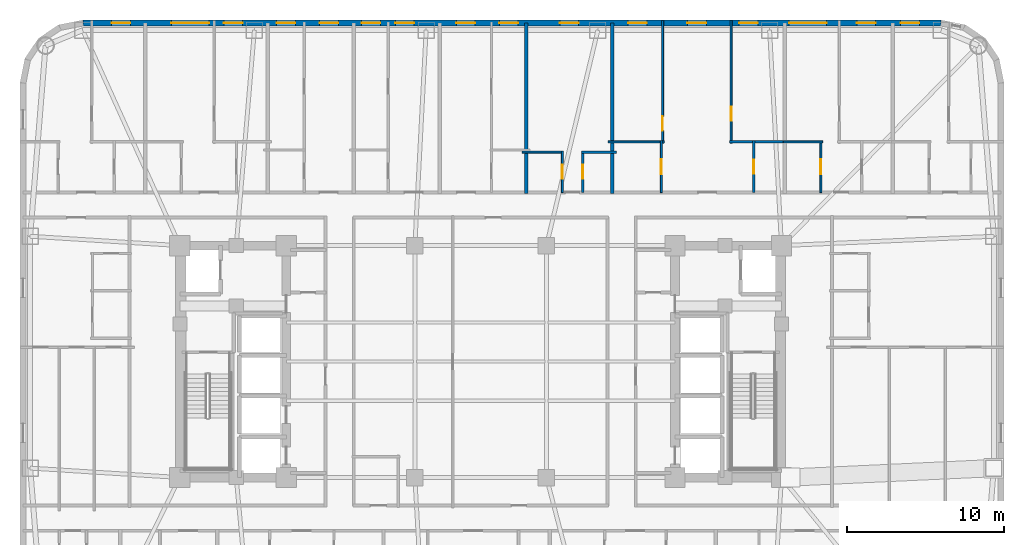
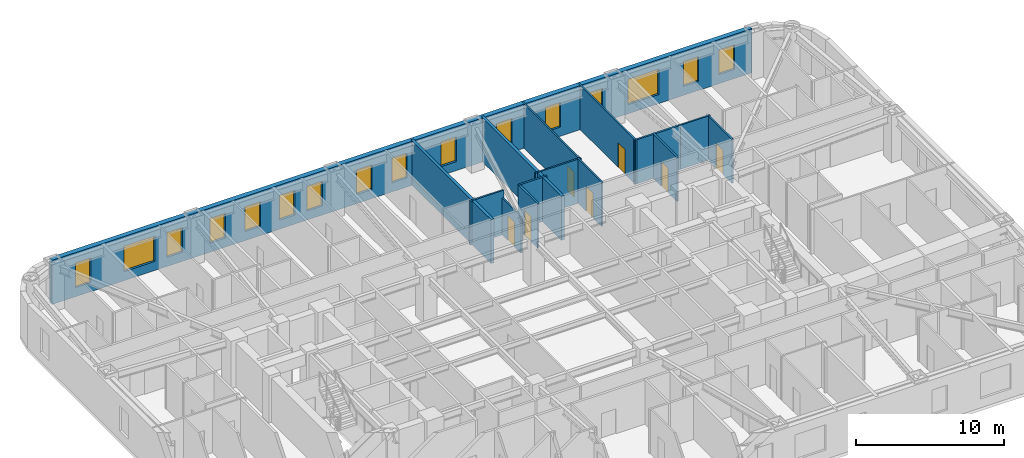
# One storey, part 9 of 12: 16 windows, 15 walls, 7 doors, 23 openings.
"""IFC4 building model written with IfcOpenShell, lengths in metres."""

from ifc_helpers import new_model, si_unit, direction, frame, frame_2d, origin, place, context, subcontext, project, spatial, rectangle, extrude, material, layer, layer_set, type_object, element, fill, save


model = new_model("IFC4")

# Units and contexts
model_context = context("Model", 3, precision=1e-05, world=origin(), true_north=direction((0.0, 1.0)))
body_context = subcontext(model_context, "Body", "Model", "MODEL_VIEW")
ifc_project = project(units=[si_unit("LENGTHUNIT", "METRE"), si_unit("AREAUNIT", "SQUARE_METRE"), si_unit("VOLUMEUNIT", "CUBIC_METRE"), si_unit("PLANEANGLEUNIT", "RADIAN"), si_unit("MASSUNIT", "GRAM", prefix="KILO")], contexts=[model_context])

# Site, building, storey
site_placement = place(None, origin())
site = spatial("IfcSite", under=ifc_project, at=site_placement, CompositionType="ELEMENT")
building_placement = place(site_placement, origin())
building = spatial("IfcBuilding", under=site, at=building_placement, Name="Voryun Gate Residences", CompositionType="ELEMENT")
storey_placement = place(building_placement, frame((0.0, 0.0, 132.60009765625)))
storey = spatial("IfcBuildingStorey", under=building, at=storey_placement, Name="L32", CompositionType="ELEMENT", Elevation=132.60009765625)

# Wall, openings, windows
ifc_material_1 = material(Name="Granite masonry", Category="masonry")
ifc_layer_1 = layer(ifc_material_1, 0.3798828125, Name="W_EXT_GRANITE_380")
ifc_layer_set_1 = layer_set([ifc_layer_1], Name="Granite masonry")
wall_type_1 = type_object("IfcWallType", Name="W_EXT_GRANITE_380", PredefinedType="ELEMENTEDWALL", material=ifc_layer_set_1)
wall_1_placement = place(storey_placement, frame((-25.38134765625, 21.610107421875, 0.0), z_axis=(0.0, 0.0, 1.0), x_axis=(1.0, 0.0, 0.0)))
wall_1 = element("IfcWall", 1, at=wall_1_placement, inside=storey, type_object=wall_type_1, Name="Exterior wall WEXT-L32-11", PredefinedType="ELEMENTEDWALL", context=body_context, shape_type="SweptSolid", body=[
    extrude(rectangle(XDim=54.7626953125, YDim=0.3798828125, at=frame_2d((27.38134765625, 0.0))), origin(), (0.0, 0.0, 1.0), 3.64990234375),
])
opening_1_placement = place(wall_1_placement, frame((5.645263671875, 0.0, 0.75)))
opening_1 = element("IfcOpeningElement", 2, at=opening_1_placement, cuts=wall_1, Name="Opening WN2", PredefinedType="OPENING", context=body_context, shape_type="SweptSolid", body=[
    extrude(rectangle(XDim=2.39990234375, YDim=2.10009765625, at=frame_2d((1.199951171875, 1.050048828125))), frame((0.0, 0.199951171875, 0.0), z_axis=(0.0, -1.0, 0.0), x_axis=(1.0, 0.0, 0.0)), (0.0, 0.0, 1.0), 0.39990234375),
])
opening_2_placement = place(wall_1_placement, frame((45.0673828125, 0.0, 0.75)))
opening_2 = element("IfcOpeningElement", 3, at=opening_2_placement, cuts=wall_1, Name="Opening WN2", PredefinedType="OPENING", context=body_context, shape_type="SweptSolid", body=[
    extrude(rectangle(XDim=2.39990234375, YDim=2.10009765625, at=frame_2d((1.199951171875, 1.050048828125))), frame((0.0, 0.199951171875, 0.0), z_axis=(0.0, -1.0, 0.0), x_axis=(1.0, 0.0, 0.0)), (0.0, 0.0, 1.0), 0.39990234375),
])
opening_3_placement = place(wall_1_placement, frame((1.8310546875, 0.0, 0.75)))
opening_3 = element("IfcOpeningElement", 4, at=opening_3_placement, cuts=wall_1, Name="Opening WN6", PredefinedType="OPENING", context=body_context, shape_type="SweptSolid", body=[
    extrude(rectangle(XDim=1.199951171875, YDim=2.050048828125, at=frame_2d((0.60009765625, 1.02490234375))), frame((0.0, 0.199951171875, 0.0), z_axis=(0.0, -1.0, 0.0), x_axis=(1.0, 0.0, 0.0)), (0.0, 0.0, 1.0), 0.39990234375),
])
opening_4_placement = place(wall_1_placement, frame((8.996337890625, 0.0, 0.75)))
opening_4 = element("IfcOpeningElement", 5, at=opening_4_placement, cuts=wall_1, Name="Opening WN6", PredefinedType="OPENING", context=body_context, shape_type="SweptSolid", body=[
    extrude(rectangle(XDim=1.199951171875, YDim=2.050048828125, at=frame_2d((0.60009765625, 1.02490234375))), frame((0.0, 0.199951171875, 0.0), z_axis=(0.0, -1.0, 0.0), x_axis=(1.0, 0.0, 0.0)), (0.0, 0.0, 1.0), 0.39990234375),
])
opening_5_placement = place(wall_1_placement, frame((15.101806640625, 0.0, 0.75)))
opening_5 = element("IfcOpeningElement", 6, at=opening_5_placement, cuts=wall_1, Name="Opening WN6", PredefinedType="OPENING", context=body_context, shape_type="SweptSolid", body=[
    extrude(rectangle(XDim=1.199951171875, YDim=2.050048828125, at=frame_2d((0.60009765625, 1.02490234375))), frame((0.0, 0.199951171875, 0.0), z_axis=(0.0, -1.0, 0.0), x_axis=(1.0, 0.0, 0.0)), (0.0, 0.0, 1.0), 0.39990234375),
])
opening_6_placement = place(wall_1_placement, frame((12.351806640625, 0.0, 0.75)))
opening_6 = element("IfcOpeningElement", 7, at=opening_6_placement, cuts=wall_1, Name="Opening WN6", PredefinedType="OPENING", context=body_context, shape_type="SweptSolid", body=[
    extrude(rectangle(XDim=1.199951171875, YDim=2.050048828125, at=frame_2d((0.60009765625, 1.02490234375))), frame((0.0, 0.199951171875, 0.0), z_axis=(0.0, -1.0, 0.0), x_axis=(1.0, 0.0, 0.0)), (0.0, 0.0, 1.0), 0.39990234375),
])
opening_7_placement = place(wall_1_placement, frame((19.936279296875, 0.0, 0.75)))
opening_7 = element("IfcOpeningElement", 8, at=opening_7_placement, cuts=wall_1, Name="Opening WN6", PredefinedType="OPENING", context=body_context, shape_type="SweptSolid", body=[
    extrude(rectangle(XDim=1.199951171875, YDim=2.050048828125, at=frame_2d((0.60009765625, 1.02490234375))), frame((0.0, 0.199951171875, 0.0), z_axis=(0.0, -1.0, 0.0), x_axis=(1.0, 0.0, 0.0)), (0.0, 0.0, 1.0), 0.39990234375),
])
opening_8_placement = place(wall_1_placement, frame((17.786376953125, 0.0, 0.75)))
opening_8 = element("IfcOpeningElement", 9, at=opening_8_placement, cuts=wall_1, Name="Opening WN6", PredefinedType="OPENING", context=body_context, shape_type="SweptSolid", body=[
    extrude(rectangle(XDim=1.199951171875, YDim=2.050048828125, at=frame_2d((0.60009765625, 1.02490234375))), frame((0.0, 0.199951171875, 0.0), z_axis=(0.0, -1.0, 0.0), x_axis=(1.0, 0.0, 0.0)), (0.0, 0.0, 1.0), 0.39990234375),
])
opening_9_placement = place(wall_1_placement, frame((23.826416015625, 0.0, 0.75)))
opening_9 = element("IfcOpeningElement", 10, at=opening_9_placement, cuts=wall_1, Name="Opening WN6", PredefinedType="OPENING", context=body_context, shape_type="SweptSolid", body=[
    extrude(rectangle(XDim=1.199951171875, YDim=2.050048828125, at=frame_2d((0.60009765625, 1.02490234375))), frame((0.0, 0.199951171875, 0.0), z_axis=(0.0, -1.0, 0.0), x_axis=(1.0, 0.0, 0.0)), (0.0, 0.0, 1.0), 0.39990234375),
])
opening_10_placement = place(wall_1_placement, frame((26.576416015625, 0.0, 0.75)))
opening_10 = element("IfcOpeningElement", 11, at=opening_10_placement, cuts=wall_1, Name="Opening WN6", PredefinedType="OPENING", context=body_context, shape_type="SweptSolid", body=[
    extrude(rectangle(XDim=1.199951171875, YDim=2.050048828125, at=frame_2d((0.60009765625, 1.02490234375))), frame((0.0, 0.199951171875, 0.0), z_axis=(0.0, -1.0, 0.0), x_axis=(1.0, 0.0, 0.0)), (0.0, 0.0, 1.0), 0.39990234375),
])
opening_11_placement = place(wall_1_placement, frame((30.431396484375, 0.0, 0.75)))
opening_11 = element("IfcOpeningElement", 12, at=opening_11_placement, cuts=wall_1, Name="Opening WN6", PredefinedType="OPENING", context=body_context, shape_type="SweptSolid", body=[
    extrude(rectangle(XDim=1.199951171875, YDim=2.050048828125, at=frame_2d((0.60009765625, 1.02490234375))), frame((0.0, 0.199951171875, 0.0), z_axis=(0.0, -1.0, 0.0), x_axis=(1.0, 0.0, 0.0)), (0.0, 0.0, 1.0), 0.39990234375),
])
opening_12_placement = place(wall_1_placement, frame((38.581298828125, 0.0, 0.75)))
opening_12 = element("IfcOpeningElement", 13, at=opening_12_placement, cuts=wall_1, Name="Opening WN6", PredefinedType="OPENING", context=body_context, shape_type="SweptSolid", body=[
    extrude(rectangle(XDim=1.199951171875, YDim=2.050048828125, at=frame_2d((0.60009765625, 1.02490234375))), frame((0.0, 0.199951171875, 0.0), z_axis=(0.0, -1.0, 0.0), x_axis=(1.0, 0.0, 0.0)), (0.0, 0.0, 1.0), 0.39990234375),
])
opening_13_placement = place(wall_1_placement, frame((34.786376953125, 0.0, 0.75)))
opening_13 = element("IfcOpeningElement", 14, at=opening_13_placement, cuts=wall_1, Name="Opening WN6", PredefinedType="OPENING", context=body_context, shape_type="SweptSolid", body=[
    extrude(rectangle(XDim=1.199951171875, YDim=2.050048828125, at=frame_2d((0.60009765625, 1.02490234375))), frame((0.0, 0.199951171875, 0.0), z_axis=(0.0, -1.0, 0.0), x_axis=(1.0, 0.0, 0.0)), (0.0, 0.0, 1.0), 0.39990234375),
])
opening_14_placement = place(wall_1_placement, frame((41.876220703125, 0.0, 0.75)))
opening_14 = element("IfcOpeningElement", 15, at=opening_14_placement, cuts=wall_1, Name="Opening WN6", PredefinedType="OPENING", context=body_context, shape_type="SweptSolid", body=[
    extrude(rectangle(XDim=1.199951171875, YDim=2.050048828125, at=frame_2d((0.60009765625, 1.02490234375))), frame((0.0, 0.199951171875, 0.0), z_axis=(0.0, -1.0, 0.0), x_axis=(1.0, 0.0, 0.0)), (0.0, 0.0, 1.0), 0.39990234375),
])
opening_15_placement = place(wall_1_placement, frame((49.38525390625, 0.0, 0.75)))
opening_15 = element("IfcOpeningElement", 16, at=opening_15_placement, cuts=wall_1, Name="Opening WN6", PredefinedType="OPENING", context=body_context, shape_type="SweptSolid", body=[
    extrude(rectangle(XDim=1.199951171875, YDim=2.050048828125, at=frame_2d((0.60009765625, 1.02490234375))), frame((0.0, 0.199951171875, 0.0), z_axis=(0.0, -1.0, 0.0), x_axis=(1.0, 0.0, 0.0)), (0.0, 0.0, 1.0), 0.39990234375),
])
opening_16_placement = place(wall_1_placement, frame((52.181396484375, 0.0, 0.75)))
opening_16 = element("IfcOpeningElement", 17, at=opening_16_placement, cuts=wall_1, Name="Opening WN6", PredefinedType="OPENING", context=body_context, shape_type="SweptSolid", body=[
    extrude(rectangle(XDim=1.199951171875, YDim=2.050048828125, at=frame_2d((0.60009765625, 1.02490234375))), frame((0.0, 0.199951171875, 0.0), z_axis=(0.0, -1.0, 0.0), x_axis=(1.0, 0.0, 0.0)), (0.0, 0.0, 1.0), 0.39990234375),
])
ifc_material_2 = material(Name="Laminated low-E glass", Category="glass")
window_type_1 = type_object("IfcWindowType", Name="WN_POD_SLOT_1200", PartitioningType="SINGLE_PANEL", PredefinedType="WINDOW", material=ifc_material_2)
window_1_placement = place(opening_3_placement, origin())
window_1 = element("IfcWindow", 18, at=window_1_placement, inside=storey, type_object=window_type_1, Name="Window WN-L32-DWFIX-02", OverallHeight=2.050048828125, OverallWidth=1.199951171875, PartitioningType="SINGLE_PANEL", PredefinedType="WINDOW", context=body_context, shape_type="SweptSolid", body=[
    extrude(rectangle(XDim=1.199951171875, YDim=2.050048828125, at=frame_2d((0.60009765625, 1.02490234375))), frame((0.0, 0.030029296875, 0.0), z_axis=(0.0, -1.0, 0.0), x_axis=(1.0, 0.0, 0.0)), (0.0, 0.0, 1.0), 0.06005859375),
])
fill(opening_3, window_1)
window_2_placement = place(opening_4_placement, origin())
window_2 = element("IfcWindow", 19, at=window_2_placement, inside=storey, type_object=window_type_1, Name="Window WN-L32-DWFIX-03", OverallHeight=2.050048828125, OverallWidth=1.199951171875, PartitioningType="SINGLE_PANEL", PredefinedType="WINDOW", context=body_context, shape_type="SweptSolid", body=[
    extrude(rectangle(XDim=1.199951171875, YDim=2.050048828125, at=frame_2d((0.60009765625, 1.02490234375))), frame((0.0, 0.030029296875, 0.0), z_axis=(0.0, -1.0, 0.0), x_axis=(1.0, 0.0, 0.0)), (0.0, 0.0, 1.0), 0.06005859375),
])
fill(opening_4, window_2)
window_3_placement = place(opening_5_placement, origin())
window_3 = element("IfcWindow", 20, at=window_3_placement, inside=storey, type_object=window_type_1, Name="Window WN-L32-DWFIX-04", OverallHeight=2.050048828125, OverallWidth=1.199951171875, PartitioningType="SINGLE_PANEL", PredefinedType="WINDOW", context=body_context, shape_type="SweptSolid", body=[
    extrude(rectangle(XDim=1.199951171875, YDim=2.050048828125, at=frame_2d((0.60009765625, 1.02490234375))), frame((0.0, 0.030029296875, 0.0), z_axis=(0.0, -1.0, 0.0), x_axis=(1.0, 0.0, 0.0)), (0.0, 0.0, 1.0), 0.06005859375),
])
fill(opening_5, window_3)
window_4_placement = place(opening_6_placement, origin())
window_4 = element("IfcWindow", 21, at=window_4_placement, inside=storey, type_object=window_type_1, Name="Window WN-L32-DWFIX-05", OverallHeight=2.050048828125, OverallWidth=1.199951171875, PartitioningType="SINGLE_PANEL", PredefinedType="WINDOW", context=body_context, shape_type="SweptSolid", body=[
    extrude(rectangle(XDim=1.199951171875, YDim=2.050048828125, at=frame_2d((0.60009765625, 1.02490234375))), frame((0.0, 0.030029296875, 0.0), z_axis=(0.0, -1.0, 0.0), x_axis=(1.0, 0.0, 0.0)), (0.0, 0.0, 1.0), 0.06005859375),
])
fill(opening_6, window_4)
window_5_placement = place(opening_7_placement, origin())
window_5 = element("IfcWindow", 22, at=window_5_placement, inside=storey, type_object=window_type_1, Name="Window WN-L32-DWFIX-06", OverallHeight=2.050048828125, OverallWidth=1.199951171875, PartitioningType="SINGLE_PANEL", PredefinedType="WINDOW", context=body_context, shape_type="SweptSolid", body=[
    extrude(rectangle(XDim=1.199951171875, YDim=2.050048828125, at=frame_2d((0.60009765625, 1.02490234375))), frame((0.0, 0.030029296875, 0.0), z_axis=(0.0, -1.0, 0.0), x_axis=(1.0, 0.0, 0.0)), (0.0, 0.0, 1.0), 0.06005859375),
])
fill(opening_7, window_5)
window_6_placement = place(opening_8_placement, origin())
window_6 = element("IfcWindow", 23, at=window_6_placement, inside=storey, type_object=window_type_1, Name="Window WN-L32-DWFIX-07", OverallHeight=2.050048828125, OverallWidth=1.199951171875, PartitioningType="SINGLE_PANEL", PredefinedType="WINDOW", context=body_context, shape_type="SweptSolid", body=[
    extrude(rectangle(XDim=1.199951171875, YDim=2.050048828125, at=frame_2d((0.60009765625, 1.02490234375))), frame((0.0, 0.030029296875, 0.0), z_axis=(0.0, -1.0, 0.0), x_axis=(1.0, 0.0, 0.0)), (0.0, 0.0, 1.0), 0.06005859375),
])
fill(opening_8, window_6)
window_7_placement = place(opening_9_placement, origin())
window_7 = element("IfcWindow", 24, at=window_7_placement, inside=storey, type_object=window_type_1, Name="Window WN-L32-DWFIX-08", OverallHeight=2.050048828125, OverallWidth=1.199951171875, PartitioningType="SINGLE_PANEL", PredefinedType="WINDOW", context=body_context, shape_type="SweptSolid", body=[
    extrude(rectangle(XDim=1.199951171875, YDim=2.050048828125, at=frame_2d((0.60009765625, 1.02490234375))), frame((0.0, 0.030029296875, 0.0), z_axis=(0.0, -1.0, 0.0), x_axis=(1.0, 0.0, 0.0)), (0.0, 0.0, 1.0), 0.06005859375),
])
fill(opening_9, window_7)
window_8_placement = place(opening_10_placement, origin())
window_8 = element("IfcWindow", 25, at=window_8_placement, inside=storey, type_object=window_type_1, Name="Window WN-L32-DWFIX-09", OverallHeight=2.050048828125, OverallWidth=1.199951171875, PartitioningType="SINGLE_PANEL", PredefinedType="WINDOW", context=body_context, shape_type="SweptSolid", body=[
    extrude(rectangle(XDim=1.199951171875, YDim=2.050048828125, at=frame_2d((0.60009765625, 1.02490234375))), frame((0.0, 0.030029296875, 0.0), z_axis=(0.0, -1.0, 0.0), x_axis=(1.0, 0.0, 0.0)), (0.0, 0.0, 1.0), 0.06005859375),
])
fill(opening_10, window_8)
window_9_placement = place(opening_11_placement, origin())
window_9 = element("IfcWindow", 26, at=window_9_placement, inside=storey, type_object=window_type_1, Name="Window WN-L32-DWFIX-10", OverallHeight=2.050048828125, OverallWidth=1.199951171875, PartitioningType="SINGLE_PANEL", PredefinedType="WINDOW", context=body_context, shape_type="SweptSolid", body=[
    extrude(rectangle(XDim=1.199951171875, YDim=2.050048828125, at=frame_2d((0.60009765625, 1.02490234375))), frame((0.0, 0.030029296875, 0.0), z_axis=(0.0, -1.0, 0.0), x_axis=(1.0, 0.0, 0.0)), (0.0, 0.0, 1.0), 0.06005859375),
])
fill(opening_11, window_9)
window_10_placement = place(opening_12_placement, origin())
window_10 = element("IfcWindow", 27, at=window_10_placement, inside=storey, type_object=window_type_1, Name="Window WN-L32-DWFIX-11", OverallHeight=2.050048828125, OverallWidth=1.199951171875, PartitioningType="SINGLE_PANEL", PredefinedType="WINDOW", context=body_context, shape_type="SweptSolid", body=[
    extrude(rectangle(XDim=1.199951171875, YDim=2.050048828125, at=frame_2d((0.60009765625, 1.02490234375))), frame((0.0, 0.030029296875, 0.0), z_axis=(0.0, -1.0, 0.0), x_axis=(1.0, 0.0, 0.0)), (0.0, 0.0, 1.0), 0.06005859375),
])
fill(opening_12, window_10)
window_11_placement = place(opening_13_placement, origin())
window_11 = element("IfcWindow", 28, at=window_11_placement, inside=storey, type_object=window_type_1, Name="Window WN-L32-DWFIX-12", OverallHeight=2.050048828125, OverallWidth=1.199951171875, PartitioningType="SINGLE_PANEL", PredefinedType="WINDOW", context=body_context, shape_type="SweptSolid", body=[
    extrude(rectangle(XDim=1.199951171875, YDim=2.050048828125, at=frame_2d((0.60009765625, 1.02490234375))), frame((0.0, 0.030029296875, 0.0), z_axis=(0.0, -1.0, 0.0), x_axis=(1.0, 0.0, 0.0)), (0.0, 0.0, 1.0), 0.06005859375),
])
fill(opening_13, window_11)
window_12_placement = place(opening_14_placement, origin())
window_12 = element("IfcWindow", 29, at=window_12_placement, inside=storey, type_object=window_type_1, Name="Window WN-L32-DWFIX-13", OverallHeight=2.050048828125, OverallWidth=1.199951171875, PartitioningType="SINGLE_PANEL", PredefinedType="WINDOW", context=body_context, shape_type="SweptSolid", body=[
    extrude(rectangle(XDim=1.199951171875, YDim=2.050048828125, at=frame_2d((0.60009765625, 1.02490234375))), frame((0.0, 0.030029296875, 0.0), z_axis=(0.0, -1.0, 0.0), x_axis=(1.0, 0.0, 0.0)), (0.0, 0.0, 1.0), 0.06005859375),
])
fill(opening_14, window_12)
window_13_placement = place(opening_15_placement, origin())
window_13 = element("IfcWindow", 30, at=window_13_placement, inside=storey, type_object=window_type_1, Name="Window WN-L32-DWFIX-14", OverallHeight=2.050048828125, OverallWidth=1.199951171875, PartitioningType="SINGLE_PANEL", PredefinedType="WINDOW", context=body_context, shape_type="SweptSolid", body=[
    extrude(rectangle(XDim=1.199951171875, YDim=2.050048828125, at=frame_2d((0.60009765625, 1.02490234375))), frame((0.0, 0.030029296875, 0.0), z_axis=(0.0, -1.0, 0.0), x_axis=(1.0, 0.0, 0.0)), (0.0, 0.0, 1.0), 0.06005859375),
])
fill(opening_15, window_13)
window_14_placement = place(opening_16_placement, origin())
window_14 = element("IfcWindow", 31, at=window_14_placement, inside=storey, type_object=window_type_1, Name="Window WN-L32-DWFIX-15", OverallHeight=2.050048828125, OverallWidth=1.199951171875, PartitioningType="SINGLE_PANEL", PredefinedType="WINDOW", context=body_context, shape_type="SweptSolid", body=[
    extrude(rectangle(XDim=1.199951171875, YDim=2.050048828125, at=frame_2d((0.60009765625, 1.02490234375))), frame((0.0, 0.030029296875, 0.0), z_axis=(0.0, -1.0, 0.0), x_axis=(1.0, 0.0, 0.0)), (0.0, 0.0, 1.0), 0.06005859375),
])
fill(opening_16, window_14)
ifc_material_3 = material(Name="Laminated low-E glass", Category="glass")
window_type_2 = type_object("IfcWindowType", Name="WN_RES_WIDE_2400", PartitioningType="SINGLE_PANEL", PredefinedType="WINDOW", material=ifc_material_3)
window_15_placement = place(opening_1_placement, origin())
window_15 = element("IfcWindow", 32, at=window_15_placement, inside=storey, type_object=window_type_2, Name="Window WN-WEXT-L32-11-01", OverallHeight=2.10009765625, OverallWidth=2.39990234375, PartitioningType="SINGLE_PANEL", PredefinedType="WINDOW", context=body_context, shape_type="SweptSolid", body=[
    extrude(rectangle(XDim=2.39990234375, YDim=2.10009765625, at=frame_2d((1.199951171875, 1.050048828125))), frame((0.0, 0.030029296875, 0.0), z_axis=(0.0, -1.0, 0.0), x_axis=(1.0, 0.0, 0.0)), (0.0, 0.0, 1.0), 0.06005859375),
])
fill(opening_1, window_15)
window_16_placement = place(opening_2_placement, origin())
window_16 = element("IfcWindow", 33, at=window_16_placement, inside=storey, type_object=window_type_2, Name="Window WN-WEXT-L32-11-04", OverallHeight=2.10009765625, OverallWidth=2.39990234375, PartitioningType="SINGLE_PANEL", PredefinedType="WINDOW", context=body_context, shape_type="SweptSolid", body=[
    extrude(rectangle(XDim=2.39990234375, YDim=2.10009765625, at=frame_2d((1.199951171875, 1.050048828125))), frame((0.0, 0.030029296875, 0.0), z_axis=(0.0, -1.0, 0.0), x_axis=(1.0, 0.0, 0.0)), (0.0, 0.0, 1.0), 0.06005859375),
])
fill(opening_2, window_16)

# Walls
ifc_material_4 = material(Name="Concrete C40/50", Category="concrete")
ifc_layer_2 = layer(ifc_material_4, 0.219970703125, Name="W_PARTY_ACOUSTIC_220")
ifc_layer_set_2 = layer_set([ifc_layer_2], Name="Concrete C40/50")
wall_type_2 = type_object("IfcWallType", Name="W_PARTY_ACOUSTIC_220", PredefinedType="PARTITIONING", material=ifc_layer_set_2)
for number, where, z_axis, x_axis, name in (
    (34, (2.89990234375, 10.719970703125, 0.0), (0.0, 0.0, 1.0), (0.0, 1.0, 0.0), "Partition wall WP-L32-NPTY-5"),
    (35, (8.39990234375, 10.719970703125, 0.0), (0.0, 0.0, 1.0), (0.0, 1.0, 0.0), "Partition wall WP-L32-NPTY-6"),
):
    element("IfcWall", number, at=place(storey_placement, frame(where, z_axis=z_axis, x_axis=x_axis)), inside=storey, type_object=wall_type_2, Name=name, PredefinedType="PARTITIONING", context=body_context, shape_type="SweptSolid", body=[
        extrude(rectangle(XDim=10.89013671875, YDim=0.219970703125, at=frame_2d((5.445068359375, 0.0))), origin(), (0.0, 0.0, 1.0), 3.64990234375),
    ])

# Wall, opening, door
ifc_material_5 = material(Name="Gypsum acoustic partition")
ifc_layer_3 = layer(ifc_material_5, 0.125, Name="W_UNIT_PART_125")
ifc_layer_set_3 = layer_set([ifc_layer_3], Name="Gypsum acoustic partition")
wall_type_3 = type_object("IfcWallType", Name="W_UNIT_PART_125", PredefinedType="PARTITIONING", material=ifc_layer_set_3)
wall_2_placement = place(storey_placement, frame((5.2099609375, 10.780029296875, 0.0), z_axis=(0.0, 0.0, 1.0), x_axis=(0.0, 1.0, 0.0)))
wall_2 = element("IfcWall", 36, at=wall_2_placement, inside=storey, type_object=wall_type_3, Name="Partition wall WP-L32-N6-CVK", PredefinedType="PARTITIONING", context=body_context, shape_type="SweptSolid", body=[
    extrude(rectangle(XDim=2.64990234375, YDim=0.125, at=frame_2d((1.324951171875, 0.0))), origin(), (0.0, 0.0, 1.0), 3.039794921875),
])
opening_17_placement = place(wall_2_placement, frame((0.875, 0.0, 0.0)))
opening_17 = element("IfcOpeningElement", 37, at=opening_17_placement, cuts=wall_2, Name="Opening D-INT-2", PredefinedType="OPENING", context=body_context, shape_type="SweptSolid", body=[
    extrude(rectangle(XDim=0.89990234375, YDim=2.050048828125, at=frame_2d((0.449951171875, 1.02490234375))), frame((0.0, 0.072509765625, 0.0), z_axis=(0.0, -1.0, 0.0), x_axis=(1.0, 0.0, 0.0)), (0.0, 0.0, 1.0), 0.14501953125),
])
ifc_material_6 = material(Name="Architectural oak veneer")
door_type_1 = type_object("IfcDoorType", Name="DR_INT_BATH_900", OperationType="NOTDEFINED", PredefinedType="DOOR", material=ifc_material_6)
door_1_placement = place(opening_17_placement, origin())
door_1 = element("IfcDoor", 38, at=door_1_placement, inside=storey, type_object=door_type_1, Name="Door DR-L32-N6-DK", OperationType="SINGLE_SWING_LEFT", OverallHeight=2.050048828125, OverallWidth=0.89990234375, PredefinedType="DOOR", context=body_context, shape_type="SweptSolid", body=[
    extrude(rectangle(XDim=0.89990234375, YDim=2.050048828125, at=frame_2d((0.449951171875, 1.02490234375))), frame((0.0, 0.02490234375, 0.0), z_axis=(0.0, -1.0, 0.0), x_axis=(1.0, 0.0, 0.0)), (0.0, 0.0, 1.0), 0.050048828125),
])
fill(opening_17, door_1)

# Wall
wall_3_placement = place(storey_placement, frame((2.639892578125, 13.3701171875, 0.0), z_axis=(0.0, 0.0, 1.0), x_axis=(1.0, 0.0, 0.0)))
element("IfcWall", 39, at=wall_3_placement, inside=storey, type_object=wall_type_3, Name="Partition wall WP-L32-N6-CHK", PredefinedType="PARTITIONING", context=body_context, shape_type="SweptSolid", body=[
    extrude(rectangle(XDim=2.630126953125, YDim=0.125, at=frame_2d((1.31494140625, 0.0))), origin(), (0.0, 0.0, 1.0), 3.64990234375),
])

# Wall, opening, door
wall_4_placement = place(storey_placement, frame((11.610107421875, 13.93994140625, 0.0), z_axis=(0.0, 0.0, 1.0), x_axis=(0.0, 1.0, 0.0)))
wall_4 = element("IfcWall", 40, at=wall_4_placement, inside=storey, type_object=wall_type_3, Name="Partition wall WP-L32-N7-OVL", PredefinedType="PARTITIONING", context=body_context, shape_type="SweptSolid", body=[
    extrude(rectangle(XDim=7.820068359375, YDim=0.125, at=frame_2d((3.91015625, 0.0))), origin(), (0.0, 0.0, 1.0), 3.64990234375),
])
opening_18_placement = place(wall_4_placement, frame((0.776123046875, 0.0, 0.0)))
opening_18 = element("IfcOpeningElement", 41, at=opening_18_placement, cuts=wall_4, Name="Opening D-INT-1", PredefinedType="OPENING", context=body_context, shape_type="SweptSolid", body=[
    extrude(rectangle(XDim=0.949951171875, YDim=2.050048828125, at=frame_2d((0.47509765625, 1.02490234375))), frame((0.0, 0.072509765625, 0.0), z_axis=(0.0, -1.0, 0.0), x_axis=(1.0, 0.0, 0.0)), (0.0, 0.0, 1.0), 0.14501953125),
])
ifc_material_7 = material(Name="Architectural oak veneer")
door_type_2 = type_object("IfcDoorType", Name="DR_INT_ROOM_950", OperationType="NOTDEFINED", PredefinedType="DOOR", material=ifc_material_7)
door_2_placement = place(opening_18_placement, origin())
door_2 = element("IfcDoor", 42, at=door_2_placement, inside=storey, type_object=door_type_2, Name="Door DR-L32-N7-DB2", OperationType="SINGLE_SWING_LEFT", OverallHeight=2.050048828125, OverallWidth=0.949951171875, PredefinedType="DOOR", context=body_context, shape_type="SweptSolid", body=[
    extrude(rectangle(XDim=0.949951171875, YDim=2.050048828125, at=frame_2d((0.47509765625, 1.02490234375))), frame((0.0, 0.02490234375, 0.0), z_axis=(0.0, -1.0, 0.0), x_axis=(1.0, 0.0, 0.0)), (0.0, 0.0, 1.0), 0.050048828125),
])
fill(opening_18, door_2)

wall_5_placement = place(storey_placement, frame((15.989990234375, 13.93994140625, 0.0), z_axis=(0.0, 0.0, 1.0), x_axis=(0.0, 1.0, 0.0)))
wall_5 = element("IfcWall", 43, at=wall_5_placement, inside=storey, type_object=wall_type_3, Name="Partition wall WP-L32-N7-OVR", PredefinedType="PARTITIONING", context=body_context, shape_type="SweptSolid", body=[
    extrude(rectangle(XDim=7.820068359375, YDim=0.125, at=frame_2d((3.91015625, 0.0))), origin(), (0.0, 0.0, 1.0), 3.64990234375),
])
opening_19_placement = place(wall_5_placement, frame((1.4267578125, 0.0, 0.0)))
opening_19 = element("IfcOpeningElement", 44, at=opening_19_placement, cuts=wall_5, Name="Opening D-INT-2", PredefinedType="OPENING", context=body_context, shape_type="SweptSolid", body=[
    extrude(rectangle(XDim=0.89990234375, YDim=2.050048828125, at=frame_2d((0.449951171875, 1.02490234375))), frame((0.0, 0.072509765625, 0.0), z_axis=(0.0, -1.0, 0.0), x_axis=(1.0, 0.0, 0.0)), (0.0, 0.0, 1.0), 0.14501953125),
])
door_3_placement = place(opening_19_placement, origin())
door_3 = element("IfcDoor", 45, at=door_3_placement, inside=storey, type_object=door_type_1, Name="Door DR-L32-N7-DMB", OperationType="SINGLE_SWING_RIGHT", OverallHeight=2.050048828125, OverallWidth=0.89990234375, PredefinedType="DOOR", context=body_context, shape_type="SweptSolid", body=[
    extrude(rectangle(XDim=0.89990234375, YDim=2.050048828125, at=frame_2d((0.449951171875, 1.02490234375))), frame((0.0, 0.02490234375, 0.0), z_axis=(0.0, -1.0, 0.0), x_axis=(1.0, 0.0, 0.0)), (0.0, 0.0, 1.0), 0.050048828125),
])
fill(opening_19, door_3)

wall_6_placement = place(storey_placement, frame((11.528076171875, 10.780029296875, 0.0), z_axis=(0.0, 0.0, 1.0), x_axis=(0.0, 1.0, 0.0)))
wall_6 = element("IfcWall", 46, at=wall_6_placement, inside=storey, type_object=wall_type_3, Name="Partition wall WP-L32-N7-IVK", PredefinedType="PARTITIONING", context=body_context, shape_type="SweptSolid", body=[
    extrude(rectangle(XDim=3.320068359375, YDim=0.125, at=frame_2d((1.66015625, 0.0))), origin(), (0.0, 0.0, 1.0), 3.64990234375),
])
opening_20_placement = place(wall_6_placement, frame((1.18505859375, 0.0, 0.0)))
opening_20 = element("IfcOpeningElement", 47, at=opening_20_placement, cuts=wall_6, Name="Opening D-INT-1", PredefinedType="OPENING", context=body_context, shape_type="SweptSolid", body=[
    extrude(rectangle(XDim=0.949951171875, YDim=2.050048828125, at=frame_2d((0.47509765625, 1.02490234375))), frame((0.0, 0.072509765625, 0.0), z_axis=(0.0, -1.0, 0.0), x_axis=(1.0, 0.0, 0.0)), (0.0, 0.0, 1.0), 0.14501953125),
])
door_4_placement = place(opening_20_placement, origin())
door_4 = element("IfcDoor", 48, at=door_4_placement, inside=storey, type_object=door_type_2, Name="Door DR-L32-N7-DK", OperationType="SINGLE_SWING_LEFT", OverallHeight=2.050048828125, OverallWidth=0.949951171875, PredefinedType="DOOR", context=body_context, shape_type="SweptSolid", body=[
    extrude(rectangle(XDim=0.949951171875, YDim=2.050048828125, at=frame_2d((0.47509765625, 1.02490234375))), frame((0.0, 0.02490234375, 0.0), z_axis=(0.0, -1.0, 0.0), x_axis=(1.0, 0.0, 0.0)), (0.0, 0.0, 1.0), 0.050048828125),
])
fill(opening_20, door_4)

# Wall
wall_7_placement = place(storey_placement, frame((8.139892578125, 14.02001953125, 0.0), z_axis=(0.0, 0.0, 1.0), x_axis=(1.0, 0.0, 0.0)))
element("IfcWall", 49, at=wall_7_placement, inside=storey, type_object=wall_type_3, Name="Partition wall WP-L32-N7-HZK", PredefinedType="PARTITIONING", context=body_context, shape_type="SweptSolid", body=[
    extrude(rectangle(XDim=3.590087890625, YDim=0.125, at=frame_2d((1.794921875, 0.0))), origin(), (0.0, 0.0, 1.0), 3.64990234375),
])

# Wall, opening, door
wall_8_placement = place(storey_placement, frame((21.7099609375, 10.780029296875, 0.0), z_axis=(0.0, 0.0, 1.0), x_axis=(0.0, 1.0, 0.0)))
wall_8 = element("IfcWall", 50, at=wall_8_placement, inside=storey, type_object=wall_type_3, Name="Partition wall WP-L32-N8-IVK", PredefinedType="PARTITIONING", context=body_context, shape_type="SweptSolid", body=[
    extrude(rectangle(XDim=3.320068359375, YDim=0.125, at=frame_2d((1.66015625, 0.0))), origin(), (0.0, 0.0, 1.0), 3.64990234375),
])
opening_21_placement = place(wall_8_placement, frame((1.18505859375, 0.0, 0.0)))
opening_21 = element("IfcOpeningElement", 51, at=opening_21_placement, cuts=wall_8, Name="Opening D-INT-1", PredefinedType="OPENING", context=body_context, shape_type="SweptSolid", body=[
    extrude(rectangle(XDim=0.949951171875, YDim=2.050048828125, at=frame_2d((0.47509765625, 1.02490234375))), frame((0.0, 0.072509765625, 0.0), z_axis=(0.0, -1.0, 0.0), x_axis=(1.0, 0.0, 0.0)), (0.0, 0.0, 1.0), 0.14501953125),
])
door_5_placement = place(opening_21_placement, origin())
door_5 = element("IfcDoor", 52, at=door_5_placement, inside=storey, type_object=door_type_2, Name="Door DR-L32-N8-DK", OperationType="SINGLE_SWING_LEFT", OverallHeight=2.050048828125, OverallWidth=0.949951171875, PredefinedType="DOOR", context=body_context, shape_type="SweptSolid", body=[
    extrude(rectangle(XDim=0.949951171875, YDim=2.050048828125, at=frame_2d((0.47509765625, 1.02490234375))), frame((0.0, 0.02490234375, 0.0), z_axis=(0.0, -1.0, 0.0), x_axis=(1.0, 0.0, 0.0)), (0.0, 0.0, 1.0), 0.050048828125),
])
fill(opening_21, door_5)

# Wall
wall_9_placement = place(storey_placement, frame((19.324951171875, 14.02001953125, 0.0), z_axis=(0.0, 0.0, 1.0), x_axis=(1.0, 0.0, 0.0)))
element("IfcWall", 53, at=wall_9_placement, inside=storey, type_object=wall_type_3, Name="Partition wall WP-L32-N8-HZK", PredefinedType="PARTITIONING", context=body_context, shape_type="SweptSolid", body=[
    extrude(rectangle(XDim=2.505126953125, YDim=0.125, at=frame_2d((1.25244140625, 0.0))), origin(), (0.0, 0.0, 1.0), 3.64990234375),
])

# Wall, opening, door
ifc_material_8 = material(Name="Gypsum moisture-resistant partition")
ifc_layer_4 = layer(ifc_material_8, 0.14990234375, Name="W_WET_PLUMB_150")
ifc_layer_set_4 = layer_set([ifc_layer_4], Name="Gypsum moisture-resistant partition")
wall_type_4 = type_object("IfcWallType", Name="W_WET_PLUMB_150", PredefinedType="PLUMBINGWALL", material=ifc_layer_set_4)
wall_10_placement = place(storey_placement, frame((6.510986328125, 10.780029296875, 0.0), z_axis=(0.0, 0.0, 1.0), x_axis=(0.0, 1.0, 0.0)))
wall_10 = element("IfcWall", 54, at=wall_10_placement, inside=storey, type_object=wall_type_4, Name="Partition wall WP-L32-N6-CVB", PredefinedType="PLUMBINGWALL", context=body_context, shape_type="SweptSolid", body=[
    extrude(rectangle(XDim=2.64990234375, YDim=0.14990234375, at=frame_2d((1.324951171875, 0.0))), origin(), (0.0, 0.0, 1.0), 3.64990234375),
])
opening_22_placement = place(wall_10_placement, frame((0.875, 0.0, 0.0)))
opening_22 = element("IfcOpeningElement", 55, at=opening_22_placement, cuts=wall_10, Name="Opening D-INT-2", PredefinedType="OPENING", context=body_context, shape_type="SweptSolid", body=[
    extrude(rectangle(XDim=0.89990234375, YDim=2.050048828125, at=frame_2d((0.449951171875, 1.02490234375))), frame((0.0, 0.0849609375, 0.0), z_axis=(0.0, -1.0, 0.0), x_axis=(1.0, 0.0, 0.0)), (0.0, 0.0, 1.0), 0.169921875),
])
door_6_placement = place(opening_22_placement, origin())
door_6 = element("IfcDoor", 56, at=door_6_placement, inside=storey, type_object=door_type_1, Name="Door DR-L32-N6-DB", OperationType="SINGLE_SWING_RIGHT", OverallHeight=2.050048828125, OverallWidth=0.89990234375, PredefinedType="DOOR", context=body_context, shape_type="SweptSolid", body=[
    extrude(rectangle(XDim=0.89990234375, YDim=2.050048828125, at=frame_2d((0.449951171875, 1.02490234375))), frame((0.0, 0.02490234375, 0.0), z_axis=(0.0, -1.0, 0.0), x_axis=(1.0, 0.0, 0.0)), (0.0, 0.0, 1.0), 0.050048828125),
])
fill(opening_22, door_6)

# Walls
wall_11_placement = place(storey_placement, frame((6.450927734375, 13.3701171875, 0.0), z_axis=(0.0, 0.0, 1.0), x_axis=(1.0, 0.0, 0.0)))
element("IfcWall", 57, at=wall_11_placement, inside=storey, type_object=wall_type_4, Name="Partition wall WP-L32-N6-CHB", PredefinedType="PLUMBINGWALL", context=body_context, shape_type="SweptSolid", body=[
    extrude(rectangle(XDim=2.208984375, YDim=0.14990234375, at=frame_2d((1.1044921875, 0.0))), origin(), (0.0, 0.0, 1.0), 3.64990234375),
])
wall_12_placement = place(storey_placement, frame((15.8701171875, 14.02001953125, 0.0), z_axis=(0.0, 0.0, 1.0), x_axis=(1.0, 0.0, 0.0)))
element("IfcWall", 58, at=wall_12_placement, inside=storey, type_object=wall_type_4, Name="Partition wall WP-L32-N7-HZB", PredefinedType="PLUMBINGWALL", context=body_context, shape_type="SweptSolid", body=[
    extrude(rectangle(XDim=3.60498046875, YDim=0.14990234375, at=frame_2d((1.802490234375, 0.0))), origin(), (0.0, 0.0, 1.0), 3.64990234375),
])

# Wall, opening, door
wall_13_placement = place(storey_placement, frame((17.419921875, 10.780029296875, 0.0), z_axis=(0.0, 0.0, 1.0), x_axis=(0.0, 1.0, 0.0)))
wall_13 = element("IfcWall", 59, at=wall_13_placement, inside=storey, type_object=wall_type_4, Name="Partition wall WP-L32-N7-IVB", PredefinedType="PLUMBINGWALL", context=body_context, shape_type="SweptSolid", body=[
    extrude(rectangle(XDim=3.320068359375, YDim=0.14990234375, at=frame_2d((1.66015625, 0.0))), origin(), (0.0, 0.0, 1.0), 3.64990234375),
])
opening_23_placement = place(wall_13_placement, frame((1.2099609375, 0.0, 0.0)))
opening_23 = element("IfcOpeningElement", 60, at=opening_23_placement, cuts=wall_13, Name="Opening D-INT-2", PredefinedType="OPENING", context=body_context, shape_type="SweptSolid", body=[
    extrude(rectangle(XDim=0.89990234375, YDim=2.050048828125, at=frame_2d((0.449951171875, 1.02490234375))), frame((0.0, 0.0849609375, 0.0), z_axis=(0.0, -1.0, 0.0), x_axis=(1.0, 0.0, 0.0)), (0.0, 0.0, 1.0), 0.169921875),
])
door_7_placement = place(opening_23_placement, origin())
door_7 = element("IfcDoor", 61, at=door_7_placement, inside=storey, type_object=door_type_1, Name="Door DR-L32-N7-DB", OperationType="SINGLE_SWING_RIGHT", OverallHeight=2.050048828125, OverallWidth=0.89990234375, PredefinedType="DOOR", context=body_context, shape_type="SweptSolid", body=[
    extrude(rectangle(XDim=0.89990234375, YDim=2.050048828125, at=frame_2d((0.449951171875, 1.02490234375))), frame((0.0, 0.02490234375, 0.0), z_axis=(0.0, -1.0, 0.0), x_axis=(1.0, 0.0, 0.0)), (0.0, 0.0, 1.0), 0.050048828125),
])
fill(opening_23, door_7)

save(model, "model.ifc")
